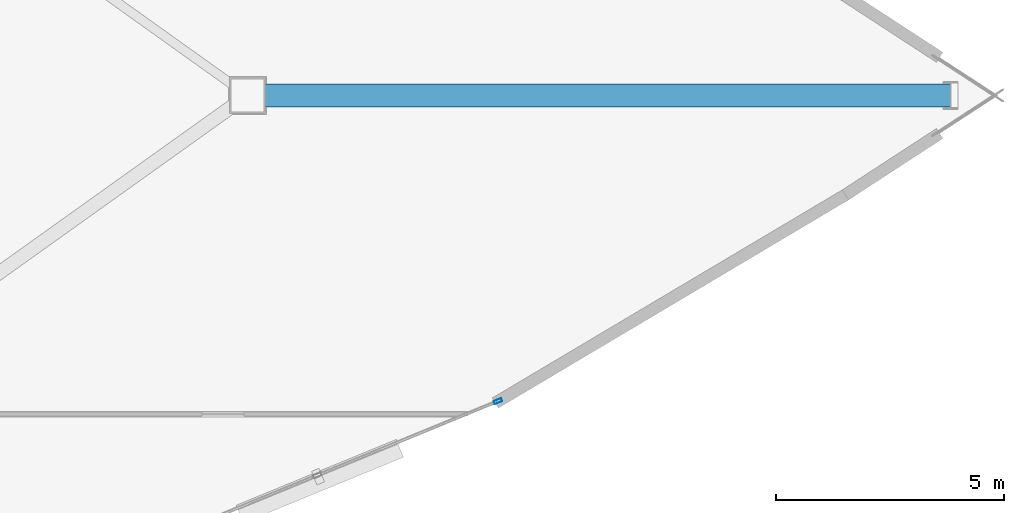
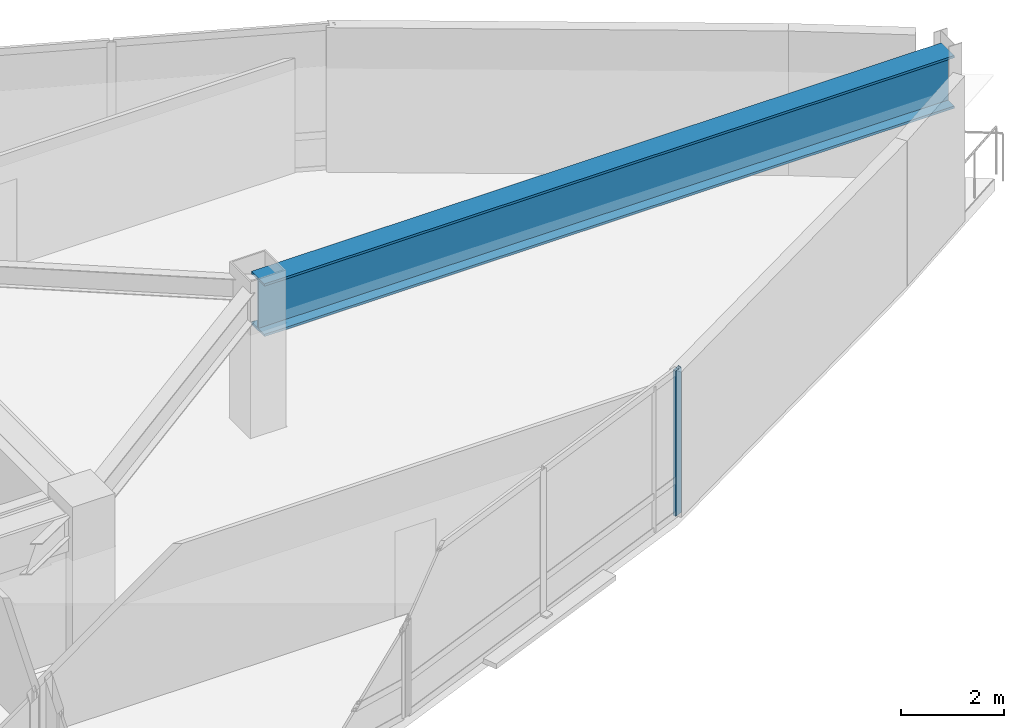
# One storey, part 11 of 17: 1 beam, 1 member, 1 element without a shape of its own.
"""IFC4 building model written with IfcOpenShell, lengths in metres."""

import ifcopenshell
import ifcopenshell.guid

model = None  # the IFC model being written
_history = None  # IfcOwnerHistory: only IFC2X3 demands one
_inside = {}  # id of a spatial element -> (the spatial element, [elements in it])
_under = {}  # id of a project, library or spatial element -> (it, [spatial elements below it])
_declared = {}  # id of a project -> (the project, [libraries it declares])
_typed = {}  # id of a type object -> (the type object, [elements of that type])
_made_of = {}  # id of a material, layer set ... -> (it, [elements and type objects made of it])


def new_model(schema):
    """Start an empty IFC model of exactly this schema.

    Asked for "IFC4X3", IfcOpenShell would pick the latest addendum, in which some entities
    have other attributes; the version numbers below select the first issue.
    IFC2X3 requires an IfcOwnerHistory on every rooted entity: one is made here for all.
    """
    global model, _history
    if schema == "IFC4X3":
        model = ifcopenshell.file(schema_version=(4, 3, 0, 0))
    else:
        model = ifcopenshell.file(schema=schema)
    _inside.clear()
    _under.clear()
    _declared.clear()
    _typed.clear()
    _made_of.clear()
    _history = None
    if model.schema == "IFC2X3":
        org = make("IfcOrganization", Name="unknown")
        user = make(
            "IfcPersonAndOrganization",
            ThePerson=make("IfcPerson", FamilyName="unknown"),
            TheOrganization=org,
        )
        app = make(
            "IfcApplication",
            ApplicationDeveloper=org,
            Version="unknown",
            ApplicationFullName="unknown",
            ApplicationIdentifier="unknown",
        )
        _history = make(
            "IfcOwnerHistory",
            OwningUser=user,
            OwningApplication=app,
            ChangeAction="ADDED",
            CreationDate=0,
        )
    return model


def make(cls, **values):
    """One entity of the class cls with the attributes given. An attribute that is None is left unset."""
    return model.create_entity(
        cls, **{name: value for name, value in values.items() if value is not None}
    )


def rooted(cls, **values):
    """An entity with a GlobalId (a new one), such as an element, a storey or a relation."""
    return make(cls, GlobalId=ifcopenshell.guid.new(), OwnerHistory=_history, **values)


def si_unit(unit_type, name, prefix=None):
    """IfcSIUnit, for example si_unit("LENGTHUNIT", "METRE", prefix="MILLI")."""
    return make("IfcSIUnit", UnitType=unit_type, Prefix=prefix, Name=name)


def assignment(units):
    """IfcUnitAssignment: the units of a project."""
    return None if units is None else make("IfcUnitAssignment", Units=units)


def point(xyz):
    """IfcCartesianPoint."""
    return None if xyz is None else make("IfcCartesianPoint", Coordinates=xyz)


def direction(xyz):
    """IfcDirection."""
    return None if xyz is None else make("IfcDirection", DirectionRatios=xyz)


def frame(location, z_axis=None, x_axis=None):
    """IfcAxis2Placement3D, a coordinate frame: its origin and axes. An axis left out is left unset."""
    return make(
        "IfcAxis2Placement3D",
        Location=point(location),
        Axis=direction(z_axis),
        RefDirection=direction(x_axis),
    )


def frame_2d(location, x_axis=None):
    """IfcAxis2Placement2D, a coordinate frame in the plane: its origin and x axis."""
    return make(
        "IfcAxis2Placement2D", Location=point(location), RefDirection=direction(x_axis)
    )


def origin():
    """The frame at (0, 0, 0) with its axes left unset."""
    return frame((0.0, 0.0, 0.0))


def origin_2d():
    """The frame at (0, 0) in the plane with its x axis left unset."""
    return frame_2d((0.0, 0.0))


def place(relative_to, where):
    """IfcLocalPlacement: puts the frame where relative to a parent placement (None: the world)."""
    return make(
        "IfcLocalPlacement", PlacementRelTo=relative_to, RelativePlacement=where
    )


def context(
    kind, dimensions, precision=None, world=None, true_north=None, identifier=None
):
    """IfcGeometricRepresentationContext, for example the 3D "Model" context."""
    return make(
        "IfcGeometricRepresentationContext",
        ContextIdentifier=identifier,
        ContextType=kind,
        CoordinateSpaceDimension=dimensions,
        Precision=precision,
        WorldCoordinateSystem=world,
        TrueNorth=true_north,
    )


def subcontext(parent, identifier, kind, view, scale=None):
    """IfcGeometricRepresentationSubContext, for example "Body" below "Model"."""
    return make(
        "IfcGeometricRepresentationSubContext",
        ContextIdentifier=identifier,
        ContextType=kind,
        ParentContext=parent,
        TargetScale=scale,
        TargetView=view,
    )


def project(units=None, contexts=None):
    """IfcProject with its units and contexts."""
    return rooted(
        "IfcProject",
        Name="project",
        RepresentationContexts=contexts,
        UnitsInContext=assignment(units),
    )


def spatial(cls, under=None, at=None, **own):
    """A site, building, storey or space (cls), placed at a placement, below another one or the project."""
    s = rooted(cls, ObjectPlacement=at, **own)
    if under is not None:
        _under.setdefault(under.id(), (under, []))[1].append(s)
    return s


def profile(cls, at=None, kind="AREA", **sizes):
    """A parametric profile (cls). Its sizes go by their IFC names, for example OverallWidth=200.0."""
    return make(cls, ProfileType=kind, Position=at, **sizes)


def hollow_rectangle(**sizes):
    """IfcRectangleHollowProfileDef."""
    return profile("IfcRectangleHollowProfileDef", **sizes)


def i_section(**sizes):
    """IfcIShapeProfileDef."""
    return profile("IfcIShapeProfileDef", **sizes)


def extrude(swept, where, along, depth):
    """IfcExtrudedAreaSolid: the profile swept, set in the frame where, extruded along a direction by depth."""
    return make(
        "IfcExtrudedAreaSolid",
        SweptArea=swept,
        Position=where,
        ExtrudedDirection=direction(along),
        Depth=depth,
    )


def shape(context_of_items, identifier, shape_type, items):
    """IfcShapeRepresentation: the items that make up one representation, for example the "Body"."""
    return make(
        "IfcShapeRepresentation",
        ContextOfItems=context_of_items,
        RepresentationIdentifier=identifier,
        RepresentationType=shape_type,
        Items=items,
    )


def material(Name=None, Category=None):
    """IfcMaterial."""
    return make("IfcMaterial", Name=Name, Category=Category)


def layer(
    of_material, thickness, ventilated=None, Name=None, Category=None, Priority=None
):
    """IfcMaterialLayer: one layer of a wall or slab, of a material (None: an air gap)."""
    return make(
        "IfcMaterialLayer",
        Material=of_material,
        LayerThickness=thickness,
        IsVentilated=ventilated,
        Name=Name,
        Category=Category,
        Priority=Priority,
    )


def layer_set(layers, Name=None):
    """IfcMaterialLayerSet."""
    return make("IfcMaterialLayerSet", MaterialLayers=layers, LayerSetName=Name)


def material_profile(
    of_material, cross_section, Name=None, Category=None, Priority=None
):
    """IfcMaterialProfile: a cross section and its material."""
    return make(
        "IfcMaterialProfile",
        Name=Name,
        Material=of_material,
        Profile=cross_section,
        Priority=Priority,
        Category=Category,
    )


def profile_set(profiles, Name=None, composite=None):
    """IfcMaterialProfileSet."""
    return make(
        "IfcMaterialProfileSet",
        Name=Name,
        MaterialProfiles=profiles,
        CompositeProfile=composite,
    )


def made_of(thing, what):
    """Note that an element or type object is made of a material, layer set ...; save() writes the relation."""
    if what is not None:
        _made_of.setdefault(what.id(), (what, []))[1].append(thing)
    return thing


def type_object(cls, material=None, **own):
    """A type object (cls), such as IfcWallType, which elements share."""
    return made_of(rooted(cls, **own), material)


def element(
    cls,
    number,
    at=None,
    inside=None,
    cuts=None,
    type_object=None,
    material=None,
    context=None,
    identifier="Body",
    shape_type=None,
    held_by="IfcProductDefinitionShape",
    body=None,
    shapes=None,
    **own,
):
    """One element of the class cls, such as IfcWall. Its Tag is "e" and its number.

    at: its placement. inside: the storey or other place that contains it. cuts: it is an
    opening in that element (IfcRelVoidsElement). A single representation is given by context,
    identifier, shape_type and body (its items); several are given by shapes. held_by: the class
    of the entity that holds the representations. save() writes the other relations.
    """
    e = rooted(cls, Tag="e%d" % number, ObjectPlacement=at, **own)
    if body is not None:
        shapes = [shape(context, identifier, shape_type, body)]
    if shapes is not None:
        e.Representation = make(held_by, Representations=shapes)
    if inside is not None:
        _inside.setdefault(inside.id(), (inside, []))[1].append(e)
    if cuts is not None:
        rooted(
            "IfcRelVoidsElement", RelatingBuildingElement=cuts, RelatedOpeningElement=e
        )
    if type_object is not None:
        _typed.setdefault(type_object.id(), (type_object, []))[1].append(e)
    return made_of(e, material)


def aggregate(whole, parts):
    """IfcRelAggregates: a whole, such as a stair, and the parts it consists of."""
    return rooted("IfcRelAggregates", RelatingObject=whole, RelatedObjects=parts)


def save(model, path):
    """Write the relations noted so far, then the file.

    IfcRelAggregates (storeys below a building ...), IfcRelContainedInSpatialStructure (elements
    in a storey), IfcRelDefinesByType, IfcRelAssociatesMaterial and IfcRelDeclares: one each for
    every whole, place, type object, material and project.
    """
    for whole, parts in _under.values():
        aggregate(whole, parts)
    for where, things in _inside.values():
        rooted(
            "IfcRelContainedInSpatialStructure",
            RelatedElements=things,
            RelatingStructure=where,
        )
    for kind, things in _typed.values():
        rooted("IfcRelDefinesByType", RelatedObjects=things, RelatingType=kind)
    for what, things in _made_of.values():
        rooted("IfcRelAssociatesMaterial", RelatedObjects=things, RelatingMaterial=what)
    for by, libraries in _declared.values():
        rooted("IfcRelDeclares", RelatingContext=by, RelatedDefinitions=libraries)
    model.write(path)


model = new_model("IFC4")

# Units and contexts
model_context = context("Model", 3, precision=1e-05, world=origin(), true_north=direction((0.0, 1.0)))
body_context = subcontext(model_context, "Body", "Model", "MODEL_VIEW")
ifc_project = project(units=[si_unit("LENGTHUNIT", "METRE"), si_unit("AREAUNIT", "SQUARE_METRE"), si_unit("VOLUMEUNIT", "CUBIC_METRE"), si_unit("PLANEANGLEUNIT", "RADIAN"), si_unit("MASSUNIT", "GRAM", prefix="KILO")], contexts=[model_context])

# Site, building, storey
site_placement = place(None, origin())
site = spatial("IfcSite", under=ifc_project, at=site_placement, CompositionType="ELEMENT")
building_placement = place(site_placement, origin())
building = spatial("IfcBuilding", under=site, at=building_placement, Name="Menara Vayukalpa", CompositionType="ELEMENT")
storey_placement = place(building_placement, frame((0.0, 0.0, 234.419921875)))
storey = spatial("IfcBuildingStorey", under=building, at=storey_placement, Name="L59", CompositionType="ELEMENT", Elevation=234.419921875)

# Beam
ifc_material_1 = material(Name="Steel S460", Category="steel")
ifc_material_profile_1 = material_profile(ifc_material_1, i_section(OverallWidth=0.5, OverallDepth=1.25, WebThickness=0.028076171875, FlangeThickness=0.054931640625, at=origin_2d()), Name="WG 1250x500x28x55")
ifc_profile_set_1 = profile_set([ifc_material_profile_1], Name="Steel S460")
beam_type = type_object("IfcBeamType", Name="BM-TG2", PredefinedType="BEAM", material=ifc_profile_set_1)
beam_placement = place(storey_placement, frame((40.121826171875, 22.0, 2.815185546875), z_axis=(1.0, 0.0, 0.0), x_axis=(0.0, 1.0, 0.0)))
element("IfcBeam", 1, at=beam_placement, inside=storey, type_object=beam_type, Name="L59 SB5 Sky Bar Vierendeel Girder 01", PredefinedType="BEAM", context=body_context, shape_type="SweptSolid", body=[
    extrude(i_section(OverallWidth=0.5, OverallDepth=1.25, WebThickness=0.028076171875, FlangeThickness=0.054931640625, at=origin_2d()), origin(), (0.0, 0.0, 1.0), 15.44287109375),
])

# Curtain wall, member
ifc_material_2 = material(Name="Anodised Terracotta Aluminium Alloy 6063-T6", Category="masonry")
ifc_layer = layer(ifc_material_2, 0.179931640625)
ifc_layer_set = layer_set([ifc_layer], Name="Anodised Terracotta Aluminium Alloy 6063-T6")
curtain_wall_type = type_object("IfcCurtainWallType", Name="CW-CW4", PredefinedType="USERDEFINED", material=ifc_layer_set)
curtain_wall_placement = place(storey_placement, origin())
curtain_wall = element("IfcCurtainWall", 2, at=curtain_wall_placement, inside=storey, type_object=curtain_wall_type, Name="L59 Sky Bar Cantilever Glazed Curtain Wall CW4 17", ObjectType="UNITISED", PredefinedType="USERDEFINED")
ifc_material_3 = material(Name="Anodised Terracotta Aluminium Alloy 6063-T6", Category="masonry")
ifc_material_profile_2 = material_profile(ifc_material_3, hollow_rectangle(XDim=0.074951171875, YDim=0.179931640625, WallThickness=0.00390625, at=origin_2d()), Name="ALU 75x180x4")
ifc_profile_set_2 = profile_set([ifc_material_profile_2], Name="Anodised Terracotta Aluminium Alloy 6063-T6")
member_type = type_object("IfcMemberType", Name="CWM-CW4", PredefinedType="MULLION", material=ifc_profile_set_2)
member_placement = place(storey_placement, frame((45.625732421875, 15.282470703125, 0.0), z_axis=(0.0, 0.0, 1.0), x_axis=(-0.380039448491, 0.924970279301, 0.0)))
member = element("IfcMember", 3, at=member_placement, type_object=member_type, Name="CW4 mullion 3", PredefinedType="MULLION", context=body_context, shape_type="SweptSolid", body=[
    extrude(hollow_rectangle(XDim=0.074951171875, YDim=0.179931640625, WallThickness=0.00390625, at=origin_2d()), origin(), (0.0, 0.0, 1.0), 3.440185546875),
])
aggregate(curtain_wall, [member])

save(model, "model.ifc")
